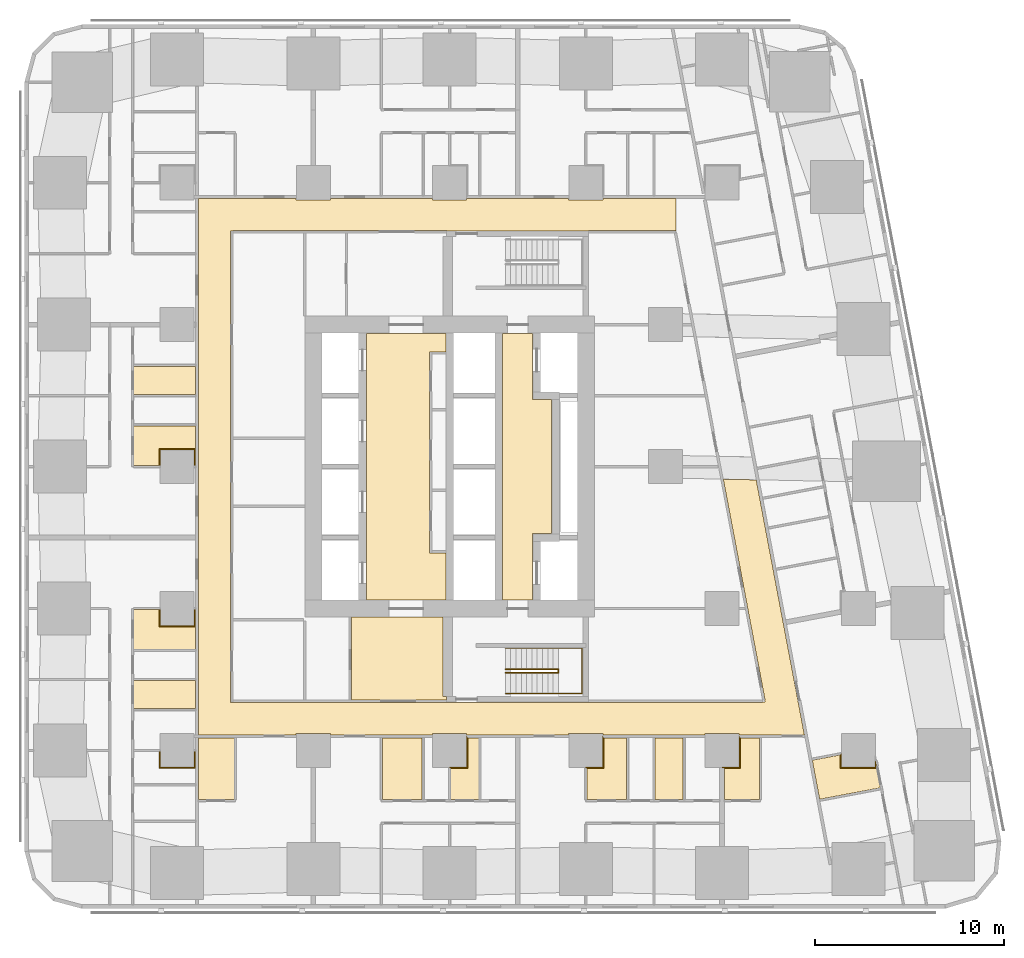
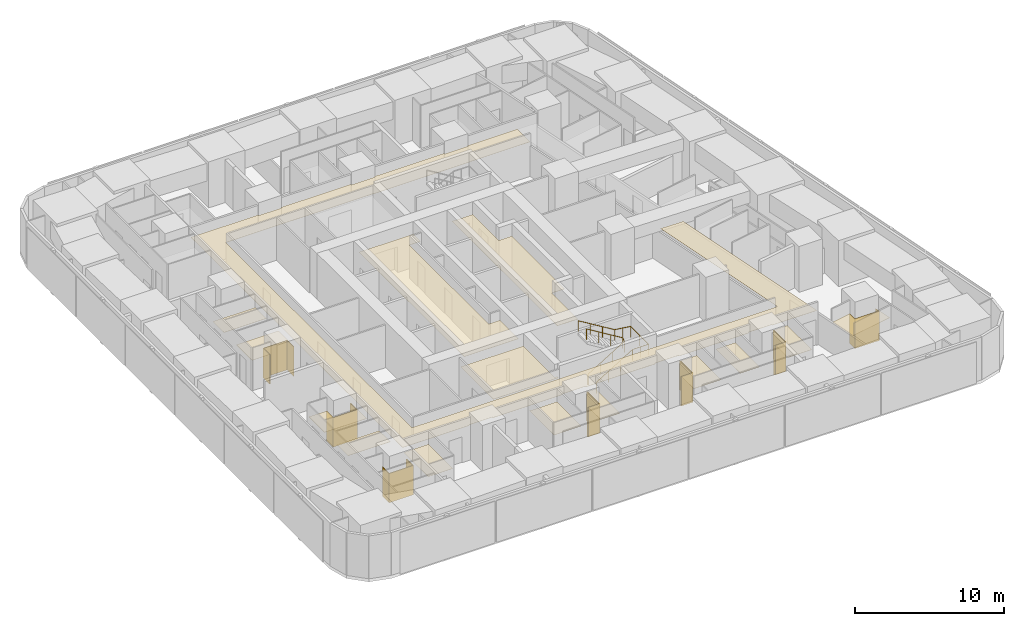
# One storey, part 16 of 18: 22 coverings, 2 railings.
"""IFC4 building model written with IfcOpenShell, lengths in metres."""

from ifc_helpers import new_model, si_unit, direction, frame, origin, origin_2d, place, context, subcontext, project, spatial, polyline, circle, outline, extrude, material, layer, layer_set, type_object, element, save


model = new_model("IFC4")

# Units and contexts
model_context = context("Model", 3, precision=1e-05, world=origin(), true_north=direction((0.0, 1.0)))
body_context = subcontext(model_context, "Body", "Model", "MODEL_VIEW")
ifc_project = project(units=[si_unit("LENGTHUNIT", "METRE"), si_unit("AREAUNIT", "SQUARE_METRE"), si_unit("VOLUMEUNIT", "CUBIC_METRE"), si_unit("PLANEANGLEUNIT", "RADIAN"), si_unit("MASSUNIT", "GRAM", prefix="KILO")], contexts=[model_context])

# Site, building, storey
site_placement = place(None, origin())
site = spatial("IfcSite", under=ifc_project, at=site_placement, CompositionType="ELEMENT")
building_placement = place(site_placement, origin())
building = spatial("IfcBuilding", under=site, at=building_placement, Name="Sheger Commons Tower", CompositionType="ELEMENT")
storey_placement = place(building_placement, frame((0.0, 0.0, 38.75)))
storey = spatial("IfcBuildingStorey", under=building, at=storey_placement, Name="L09", CompositionType="ELEMENT", Elevation=38.75)

# Railings
ifc_material_1 = material(Name="Steel handrail, black powder-coated", Category="steel")
railing_type = type_object("IfcRailingType", Name="HANDRAIL 900", PredefinedType="HANDRAIL", material=ifc_material_1)
railing_1_placement = place(storey_placement, frame((24.550048828125, 11.60009765625, 0.17041015625)))
element("IfcRailing", 1, at=railing_1_placement, inside=storey, type_object=railing_type, Name="Stair S1 handrail L09", PredefinedType="HANDRAIL", context=body_context, shape_type="SweptSolid", body=[
    extrude(circle(Radius=0.02392578125, at=origin_2d()), frame((0.0, 0.0, 0.8759765625), z_axis=(0.854169791009, 0.0, 0.51999420009), x_axis=(0.0, 1.0, 0.0)), (0.0, 0.0, 1.0), 3.278076171875),
    extrude(circle(Radius=0.02392578125, at=origin_2d()), frame((2.800048828125, 0.0, 2.58056640625), z_axis=(0.0, 0.761090297175, 0.648645943136), x_axis=(-1.0, 0.0, 0.0)), (0.0, 0.0, 1.0), 0.2626953125),
    extrude(circle(Radius=0.02392578125, at=origin_2d()), frame((2.800048828125, 0.199951171875, 2.7509765625), z_axis=(-0.854169791009, 0.0, 0.51999420009), x_axis=(0.0, -1.0, 0.0)), (0.0, 0.0, 1.0), 3.278076171875),
    extrude(circle(Radius=0.02099609375, at=origin_2d()), origin(), (0.0, 0.0, 1.0), 0.851806640625),
    extrude(circle(Radius=0.02099609375, at=origin_2d()), frame((0.933349609375, 0.0, 0.568115234375)), (0.0, 0.0, 1.0), 0.851806640625),
    extrude(circle(Radius=0.02099609375, at=origin_2d()), frame((1.86669921875, 0.0, 1.136474609375)), (0.0, 0.0, 1.0), 0.851806640625),
    extrude(circle(Radius=0.02099609375, at=origin_2d()), frame((2.800048828125, 0.0, 1.70458984375)), (0.0, 0.0, 1.0), 0.851806640625),
    extrude(circle(Radius=0.02099609375, at=origin_2d()), frame((2.800048828125, 0.199951171875, 1.875)), (0.0, 0.0, 1.0), 0.851806640625),
    extrude(circle(Radius=0.02099609375, at=origin_2d()), frame((1.86669921875, 0.199951171875, 2.443115234375)), (0.0, 0.0, 1.0), 0.851806640625),
    extrude(circle(Radius=0.02099609375, at=origin_2d()), frame((0.933349609375, 0.199951171875, 3.011474609375)), (0.0, 0.0, 1.0), 0.851806640625),
    extrude(circle(Radius=0.02099609375, at=origin_2d()), frame((0.0, 0.199951171875, 3.57958984375)), (0.0, 0.0, 1.0), 0.851806640625),
])
railing_2_placement = place(storey_placement, frame((24.550048828125, 10.5, 0.17041015625)))
element("IfcRailing", 2, at=railing_2_placement, inside=storey, type_object=railing_type, Name="Stair S1 handrail L09", PredefinedType="HANDRAIL", context=body_context, shape_type="SweptSolid", body=[
    extrude(circle(Radius=0.02392578125, at=origin_2d()), frame((0.0, 0.0, 0.8759765625), z_axis=(0.854169791009, 0.0, 0.51999420009), x_axis=(0.0, 1.0, 0.0)), (0.0, 0.0, 1.0), 3.278076171875),
    extrude(circle(Radius=0.02392578125, at=origin_2d()), frame((2.800048828125, 0.0, 2.58056640625), z_axis=(1.0, 0.0, 0.0), x_axis=(0.0, 1.0, 0.0)), (0.0, 0.0, 1.0), 1.25),
    extrude(circle(Radius=0.02392578125, at=origin_2d()), frame((4.050048828125, 0.0, 2.58056640625), z_axis=(0.0, 1.0, 0.0), x_axis=(-1.0, 0.0, 0.0)), (0.0, 0.0, 1.0), 2.39990234375),
    extrude(circle(Radius=0.02392578125, at=origin_2d()), frame((4.050048828125, 2.39990234375, 2.58056640625), z_axis=(-0.990834877927, 0.0, 0.135078661092), x_axis=(0.0, -1.0, 0.0)), (0.0, 0.0, 1.0), 1.261474609375),
    extrude(circle(Radius=0.02392578125, at=origin_2d()), frame((2.800048828125, 2.39990234375, 2.7509765625), z_axis=(-0.854169791009, 0.0, 0.51999420009), x_axis=(0.0, -1.0, 0.0)), (0.0, 0.0, 1.0), 3.278076171875),
    extrude(circle(Radius=0.02099609375, at=origin_2d()), origin(), (0.0, 0.0, 1.0), 0.851806640625),
    extrude(circle(Radius=0.02099609375, at=origin_2d()), frame((0.933349609375, 0.0, 0.568115234375)), (0.0, 0.0, 1.0), 0.851806640625),
    extrude(circle(Radius=0.02099609375, at=origin_2d()), frame((1.86669921875, 0.0, 1.136474609375)), (0.0, 0.0, 1.0), 0.851806640625),
    extrude(circle(Radius=0.02099609375, at=origin_2d()), frame((2.800048828125, 0.0, 1.70458984375)), (0.0, 0.0, 1.0), 0.851806640625),
    extrude(circle(Radius=0.02099609375, at=origin_2d()), frame((3.425048828125, 0.0, 1.70458984375)), (0.0, 0.0, 1.0), 0.851806640625),
    extrude(circle(Radius=0.02099609375, at=origin_2d()), frame((4.050048828125, 0.0, 1.70458984375)), (0.0, 0.0, 1.0), 0.851806640625),
    extrude(circle(Radius=0.02099609375, at=origin_2d()), frame((4.050048828125, 1.199951171875, 1.70458984375)), (0.0, 0.0, 1.0), 0.851806640625),
    extrude(circle(Radius=0.02099609375, at=origin_2d()), frame((4.050048828125, 2.39990234375, 1.70458984375)), (0.0, 0.0, 1.0), 0.851806640625),
    extrude(circle(Radius=0.02099609375, at=origin_2d()), frame((3.425048828125, 2.39990234375, 1.789794921875)), (0.0, 0.0, 1.0), 0.851806640625),
    extrude(circle(Radius=0.02099609375, at=origin_2d()), frame((2.800048828125, 2.39990234375, 1.875)), (0.0, 0.0, 1.0), 0.851806640625),
    extrude(circle(Radius=0.02099609375, at=origin_2d()), frame((1.86669921875, 2.39990234375, 2.443115234375)), (0.0, 0.0, 1.0), 0.851806640625),
    extrude(circle(Radius=0.02099609375, at=origin_2d()), frame((0.933349609375, 2.39990234375, 3.011474609375)), (0.0, 0.0, 1.0), 0.851806640625),
    extrude(circle(Radius=0.02099609375, at=origin_2d()), frame((0.0, 2.39990234375, 3.57958984375)), (0.0, 0.0, 1.0), 0.851806640625),
])

# Coverings
ifc_material_2 = material(Name="Moisture-resistant gypsum plasterboard 15 mm on a suspended galvanised steel grid", Category="steel")
ifc_layer_1 = layer(ifc_material_2, 0.014892578125)
ifc_layer_set_1 = layer_set([ifc_layer_1], Name="MOISTURE-RESISTANT CEILING 15")
covering_type_1 = type_object("IfcCoveringType", Name="MOISTURE-RESISTANT CEILING 15", PredefinedType="CEILING", material=ifc_layer_set_1)
covering_1_placement = place(storey_placement, frame((0.0, 0.0, 2.39990234375)))
element("IfcCovering", 3, at=covering_1_placement, inside=storey, type_object=covering_type_1, Name="L09-01.B1 ceiling", PredefinedType="CEILING", context=body_context, shape_type="SweptSolid", body=[
    extrude(outline(polyline([(4.905029296875, 12.844970703125), (8.169921875, 12.844970703125), (8.169921875, 14.945068359375), (8.10498046875, 14.945068359375), (8.10498046875, 14.094970703125), (6.294921875, 14.094970703125), (6.294921875, 14.945068359375), (4.905029296875, 14.945068359375), (4.905029296875, 12.844970703125)])), origin(), (0.0, 0.0, 1.0), 0.01513671875),
])
covering_2_placement = place(storey_placement, frame((0.0, 0.0, 2.39990234375)))
element("IfcCovering", 4, at=covering_2_placement, inside=storey, type_object=covering_type_1, Name="L09-01.B2 ceiling", PredefinedType="CEILING", context=body_context, shape_type="SweptSolid", body=[
    extrude(outline(polyline([(4.905029296875, 9.705078125), (8.169921875, 9.705078125), (8.169921875, 11.195068359375), (4.905029296875, 11.195068359375), (4.905029296875, 9.705078125)])), origin(), (0.0, 0.0, 1.0), 0.01513671875),
])
covering_3_placement = place(storey_placement, frame((0.0, 0.0, 2.39990234375)))
element("IfcCovering", 5, at=covering_3_placement, inside=storey, type_object=covering_type_1, Name="L09-02.B1 ceiling", PredefinedType="CEILING", context=body_context, shape_type="SweptSolid", body=[
    extrude(outline(polyline([(4.905029296875, 22.554931640625), (6.294921875, 22.554931640625), (6.294921875, 23.405029296875), (8.10498046875, 23.405029296875), (8.10498046875, 22.554931640625), (8.169921875, 22.554931640625), (8.169921875, 24.655029296875), (4.905029296875, 24.655029296875), (4.905029296875, 22.554931640625)])), origin(), (0.0, 0.0, 1.0), 0.01513671875),
])
covering_4_placement = place(storey_placement, frame((0.0, 0.0, 2.39990234375)))
element("IfcCovering", 6, at=covering_4_placement, inside=storey, type_object=covering_type_1, Name="L09-02.B2 ceiling", PredefinedType="CEILING", context=body_context, shape_type="SweptSolid", body=[
    extrude(outline(polyline([(4.905029296875, 26.304931640625), (8.169921875, 26.304931640625), (8.169921875, 27.794921875), (4.905029296875, 27.794921875), (4.905029296875, 26.304931640625)])), origin(), (0.0, 0.0, 1.0), 0.01513671875),
])
covering_5_placement = place(storey_placement, frame((0.0, 0.0, 2.39990234375)))
element("IfcCovering", 7, at=covering_5_placement, inside=storey, type_object=covering_type_1, Name="L09-04.B1 ceiling", PredefinedType="CEILING", context=body_context, shape_type="SweptSolid", body=[
    extrude(outline(polyline([(8.330078125, 4.905029296875), (10.22412109375, 4.905029296875), (10.22412109375, 8.169921875), (8.330078125, 8.169921875), (8.330078125, 4.905029296875)])), origin(), (0.0, 0.0, 1.0), 0.01513671875),
])
covering_6_placement = place(storey_placement, frame((0.0, 0.0, 2.39990234375)))
element("IfcCovering", 8, at=covering_6_placement, inside=storey, type_object=covering_type_1, Name="L09-05.B1 ceiling", PredefinedType="CEILING", context=body_context, shape_type="SweptSolid", body=[
    extrude(outline(polyline([(18.054931640625, 4.905029296875), (20.155029296875, 4.905029296875), (20.155029296875, 8.169921875), (18.054931640625, 8.169921875), (18.054931640625, 4.905029296875)])), origin(), (0.0, 0.0, 1.0), 0.01513671875),
])
covering_7_placement = place(storey_placement, frame((0.0, 0.0, 2.39990234375)))
element("IfcCovering", 9, at=covering_7_placement, inside=storey, type_object=covering_type_1, Name="L09-05.B2 ceiling", PredefinedType="CEILING", context=body_context, shape_type="SweptSolid", body=[
    extrude(outline(polyline([(21.655029296875, 4.905029296875), (23.14501953125, 4.905029296875), (23.14501953125, 8.169921875), (22.5048828125, 8.169921875), (22.5048828125, 6.594970703125), (21.655029296875, 6.594970703125), (21.655029296875, 4.905029296875)])), origin(), (0.0, 0.0, 1.0), 0.01513671875),
])
covering_8_placement = place(storey_placement, frame((0.0, 0.0, 2.39990234375)))
element("IfcCovering", 10, at=covering_8_placement, inside=storey, type_object=covering_type_1, Name="L09-06.B1 ceiling", PredefinedType="CEILING", context=body_context, shape_type="SweptSolid", body=[
    extrude(outline(polyline([(28.85498046875, 4.905029296875), (30.955078125, 4.905029296875), (30.955078125, 8.169921875), (29.705078125, 8.169921875), (29.705078125, 6.594970703125), (28.85498046875, 6.594970703125), (28.85498046875, 4.905029296875)])), origin(), (0.0, 0.0, 1.0), 0.01513671875),
])
covering_9_placement = place(storey_placement, frame((0.0, 0.0, 2.39990234375)))
element("IfcCovering", 11, at=covering_9_placement, inside=storey, type_object=covering_type_1, Name="L09-06.B2 ceiling", PredefinedType="CEILING", context=body_context, shape_type="SweptSolid", body=[
    extrude(outline(polyline([(32.455078125, 4.905029296875), (33.945068359375, 4.905029296875), (33.945068359375, 8.169921875), (32.455078125, 8.169921875), (32.455078125, 4.905029296875)])), origin(), (0.0, 0.0, 1.0), 0.01513671875),
])
covering_10_placement = place(storey_placement, frame((0.0, 0.0, 2.39990234375)))
element("IfcCovering", 12, at=covering_10_placement, inside=storey, type_object=covering_type_1, Name="L09-07.B1 ceiling", PredefinedType="CEILING", context=body_context, shape_type="SweptSolid", body=[
    extrude(outline(polyline([(36.1298828125, 4.905029296875), (37.97412109375, 4.905029296875), (37.97412109375, 8.169921875), (36.905029296875, 8.169921875), (36.905029296875, 6.594970703125), (36.1298828125, 6.594970703125), (36.1298828125, 4.905029296875)])), origin(), (0.0, 0.0, 1.0), 0.01513671875),
])
covering_11_placement = place(storey_placement, frame((0.0, 0.0, 2.39990234375)))
element("IfcCovering", 13, at=covering_11_placement, inside=storey, type_object=covering_type_1, Name="L09-10.B1 ceiling", PredefinedType="CEILING", context=body_context, shape_type="SweptSolid", body=[
    extrude(outline(polyline([(41.156005859375, 4.9208984375), (44.364013671875, 5.527099609375), (44.10693359375, 6.885009765625), (44.10498046875, 6.885009765625), (44.10498046875, 6.594970703125), (42.294921875, 6.594970703125), (42.294921875, 7.27392578125), (40.76611328125, 6.985107421875), (41.156005859375, 4.9208984375)])), origin(), (0.0, 0.0, 1.0), 0.01513671875),
])
ifc_material_3 = material(Name="Gypsum plasterboard 15 mm on a suspended steel grid", Category="steel")
ifc_layer_2 = layer(ifc_material_3, 0.014892578125)
ifc_layer_set_2 = layer_set([ifc_layer_2], Name="SUSPENDED CEILING 15")
covering_type_2 = type_object("IfcCoveringType", Name="SUSPENDED CEILING 15", PredefinedType="CEILING", material=ifc_layer_set_2)
covering_12_placement = place(storey_placement, frame((0.0, 0.0, 2.699951171875)))
element("IfcCovering", 14, at=covering_12_placement, inside=storey, type_object=covering_type_2, Name="L09-CO ceiling", PredefinedType="CEILING", context=body_context, shape_type="SweptSolid", body=[
    extrude(outline(polyline([(8.330078125, 8.330078125), (13.4951171875, 8.330078125), (13.4951171875, 8.405029296875), (15.304931640625, 8.405029296875), (15.304931640625, 8.330078125), (20.695068359375, 8.330078125), (20.695068359375, 8.405029296875), (22.5048828125, 8.405029296875), (22.5048828125, 8.330078125), (27.89501953125, 8.330078125), (27.89501953125, 8.405029296875), (29.705078125, 8.405029296875), (29.705078125, 8.330078125), (35.094970703125, 8.330078125), (35.094970703125, 8.405029296875), (36.905029296875, 8.405029296875), (36.905029296875, 8.330078125), (40.34912109375, 8.330078125), (37.804931640625, 21.798095703125), (36.06591796875, 21.8330078125), (38.26904296875, 10.1708984375), (38.251953125, 10.1669921875), (38.27392578125, 10.050048828125), (38.14306640625, 10.050048828125), (38.14306640625, 10.031982421875), (28.945068359375, 10.031982421875), (28.945068359375, 10.044921875), (21.455078125, 10.044921875), (21.455078125, 10.031982421875), (10.157958984375, 10.031982421875), (10.157958984375, 10.044921875), (10.031982421875, 10.044921875), (10.031982421875, 34.955078125), (10.157958984375, 34.955078125), (10.157958984375, 34.968017578125), (21.455078125, 34.968017578125), (21.455078125, 34.949951171875), (28.945068359375, 34.949951171875), (28.945068359375, 34.968017578125), (33.54296875, 34.968017578125), (33.54296875, 34.949951171875), (33.568115234375, 34.949951171875), (33.568115234375, 36.669921875), (29.705078125, 36.669921875), (29.705078125, 36.594970703125), (27.89501953125, 36.594970703125), (27.89501953125, 36.669921875), (22.5048828125, 36.669921875), (22.5048828125, 36.594970703125), (20.695068359375, 36.594970703125), (20.695068359375, 36.669921875), (15.304931640625, 36.669921875), (15.304931640625, 36.594970703125), (13.4951171875, 36.594970703125), (13.4951171875, 36.669921875), (8.330078125, 36.669921875), (8.330078125, 8.330078125)])), origin(), (0.0, 0.0, 1.0), 0.01513671875),
])
covering_13_placement = place(storey_placement, frame((0.0, 0.0, 2.699951171875)))
element("IfcCovering", 15, at=covering_13_placement, inside=storey, type_object=covering_type_2, Name="L09-SVS1 ceiling", PredefinedType="CEILING", context=body_context, shape_type="SweptSolid", body=[
    extrude(outline(polyline([(16.406982421875, 10.16796875), (21.445068359375, 10.16796875), (21.445068359375, 10.344970703125), (21.2451171875, 10.344970703125), (21.2451171875, 14.544921875), (16.406982421875, 14.544921875), (16.406982421875, 10.16796875)])), origin(), (0.0, 0.0, 1.0), 0.01513671875),
])
covering_14_placement = place(storey_placement, frame((0.0, 0.0, 2.699951171875)))
element("IfcCovering", 16, at=covering_14_placement, inside=storey, type_object=covering_type_2, Name="L09-LL ceiling", PredefinedType="CEILING", context=body_context, shape_type="SweptSolid", body=[
    extrude(outline(polyline([(17.205078125, 15.455078125), (21.39990234375, 15.455078125), (21.39990234375, 17.93310546875), (20.657958984375, 17.93310546875), (20.532958984375, 17.93310546875), (20.532958984375, 28.56689453125), (20.657958984375, 28.56689453125), (21.39990234375, 28.56689453125), (21.39990234375, 29.544921875), (17.205078125, 29.544921875), (17.205078125, 15.455078125)])), origin(), (0.0, 0.0, 1.0), 0.01513671875),
])
covering_15_placement = place(storey_placement, frame((0.0, 0.0, 2.699951171875)))
element("IfcCovering", 17, at=covering_15_placement, inside=storey, type_object=covering_type_2, Name="L09-FL ceiling", PredefinedType="CEILING", context=body_context, shape_type="SweptSolid", body=[
    extrude(outline(polyline([(24.405029296875, 15.455078125), (25.9951171875, 15.455078125), (25.9951171875, 18.955078125), (26.9951171875, 18.955078125), (26.9951171875, 26.044921875), (25.9951171875, 26.044921875), (25.9951171875, 29.544921875), (24.405029296875, 29.544921875), (24.405029296875, 15.455078125)])), origin(), (0.0, 0.0, 1.0), 0.01513671875),
])
ifc_material_4 = material(Name="Moisture-resistant gypsum board 12.5 mm on 25 mm treated timber battens, tanked and tiled", Category="wood")
ifc_layer_3 = layer(ifc_material_4, 0.050048828125)
ifc_layer_set_3 = layer_set([ifc_layer_3], Name="WET-ROOM COLUMN LINING")
covering_type_3 = type_object("IfcCoveringType", Name="WET-ROOM COLUMN LINING", PredefinedType="CLADDING", material=ifc_layer_set_3)
covering_16_placement = place(storey_placement, origin())
element("IfcCovering", 18, at=covering_16_placement, inside=storey, type_object=covering_type_3, Name="Laundry room column lining C8 L09", PredefinedType="CLADDING", context=body_context, shape_type="SweptSolid", body=[
    extrude(outline(polyline([(6.300048828125, 7.5), (6.300048828125, 6.60009765625), (8.10009765625, 6.60009765625), (8.10009765625, 7.5), (8.10107421875, 7.5), (8.10107421875, 7.449951171875), (8.14990234375, 7.449951171875), (8.14990234375, 6.550048828125), (6.25, 6.550048828125), (6.25, 7.449951171875), (6.299072265625, 7.449951171875), (6.299072265625, 7.5), (6.300048828125, 7.5)])), origin(), (0.0, 0.0, 1.0), 2.39990234375),
])
covering_17_placement = place(storey_placement, origin())
element("IfcCovering", 19, at=covering_17_placement, inside=storey, type_object=covering_type_3, Name="Shower room column lining C8 L09", PredefinedType="CLADDING", context=body_context, shape_type="SweptSolid", body=[
    extrude(outline(polyline([(21.64990234375, 6.550048828125), (21.64990234375, 6.59912109375), (21.60009765625, 6.59912109375), (21.60009765625, 6.60009765625), (22.5, 6.60009765625), (22.5, 8.25), (22.5009765625, 8.25), (22.5009765625, 8.175048828125), (22.550048828125, 8.175048828125), (22.550048828125, 6.550048828125), (21.64990234375, 6.550048828125)])), origin(), (0.0, 0.0, 1.0), 2.39990234375),
])
covering_18_placement = place(storey_placement, origin())
element("IfcCovering", 20, at=covering_18_placement, inside=storey, type_object=covering_type_3, Name="Bathroom column lining C8 L09", PredefinedType="CLADDING", context=body_context, shape_type="SweptSolid", body=[
    extrude(outline(polyline([(28.85009765625, 6.550048828125), (28.85009765625, 6.59912109375), (28.800048828125, 6.59912109375), (28.800048828125, 6.60009765625), (29.699951171875, 6.60009765625), (29.699951171875, 8.25), (29.700927734375, 8.25), (29.700927734375, 8.175048828125), (29.75, 8.175048828125), (29.75, 6.550048828125), (28.85009765625, 6.550048828125)])), origin(), (0.0, 0.0, 1.0), 2.39990234375),
])
covering_19_placement = place(storey_placement, origin())
element("IfcCovering", 21, at=covering_19_placement, inside=storey, type_object=covering_type_3, Name="Shower room column lining C8 L09", PredefinedType="CLADDING", context=body_context, shape_type="SweptSolid", body=[
    extrude(outline(polyline([(36.125, 6.550048828125), (36.125, 6.59912109375), (36.0, 6.59912109375), (36.0, 6.60009765625), (36.89990234375, 6.60009765625), (36.89990234375, 8.25), (36.90087890625, 8.25), (36.90087890625, 8.175048828125), (36.949951171875, 8.175048828125), (36.949951171875, 6.550048828125), (36.125, 6.550048828125)])), origin(), (0.0, 0.0, 1.0), 2.39990234375),
])
covering_20_placement = place(storey_placement, origin())
element("IfcCovering", 22, at=covering_20_placement, inside=storey, type_object=covering_type_3, Name="Bathroom column lining C8 L09", PredefinedType="CLADDING", context=body_context, shape_type="SweptSolid", body=[
    extrude(outline(polyline([(42.300048828125, 7.3310546875), (42.300048828125, 6.60009765625), (44.10009765625, 6.60009765625), (44.10009765625, 6.949951171875), (44.14990234375, 6.68603515625), (44.14990234375, 6.550048828125), (42.25, 6.550048828125), (42.25, 7.27099609375), (42.299072265625, 7.280029296875), (42.2900390625, 7.3291015625), (42.300048828125, 7.3310546875)])), origin(), (0.0, 0.0, 1.0), 2.39990234375),
])
covering_21_placement = place(storey_placement, origin())
element("IfcCovering", 23, at=covering_21_placement, inside=storey, type_object=covering_type_3, Name="Bathroom column lining C8 L09", PredefinedType="CLADDING", context=body_context, shape_type="SweptSolid", body=[
    extrude(outline(polyline([(6.300048828125, 15.0), (6.300048828125, 14.10009765625), (8.10009765625, 14.10009765625), (8.10009765625, 15.0), (8.10107421875, 15.0), (8.10107421875, 14.949951171875), (8.14990234375, 14.949951171875), (8.14990234375, 14.050048828125), (6.25, 14.050048828125), (6.25, 14.949951171875), (6.299072265625, 14.949951171875), (6.299072265625, 15.0), (6.300048828125, 15.0)])), origin(), (0.0, 0.0, 1.0), 2.39990234375),
])
covering_22_placement = place(storey_placement, origin())
element("IfcCovering", 24, at=covering_22_placement, inside=storey, type_object=covering_type_3, Name="Bathroom column lining C8 L09", PredefinedType="CLADDING", context=body_context, shape_type="SweptSolid", body=[
    extrude(outline(polyline([(8.14990234375, 23.449951171875), (8.14990234375, 22.550048828125), (8.10107421875, 22.550048828125), (8.10107421875, 22.5), (8.10009765625, 22.5), (8.10009765625, 23.39990234375), (6.300048828125, 23.39990234375), (6.300048828125, 22.5), (6.299072265625, 22.5), (6.299072265625, 22.550048828125), (6.25, 22.550048828125), (6.25, 23.449951171875), (8.14990234375, 23.449951171875)])), origin(), (0.0, 0.0, 1.0), 2.39990234375),
])

save(model, "model.ifc")
